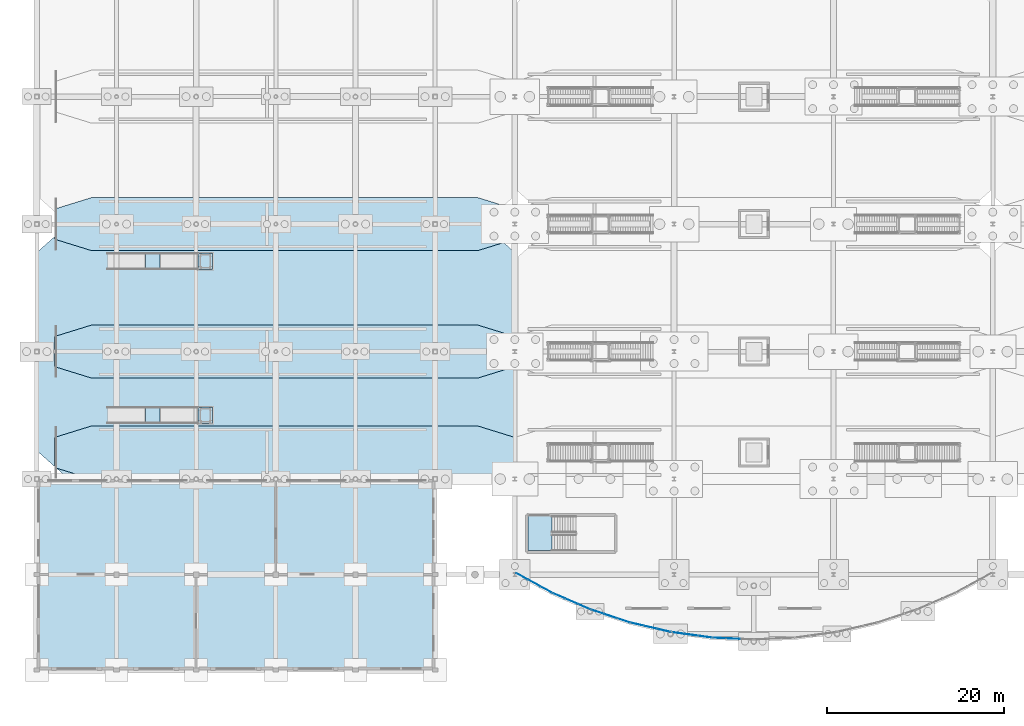
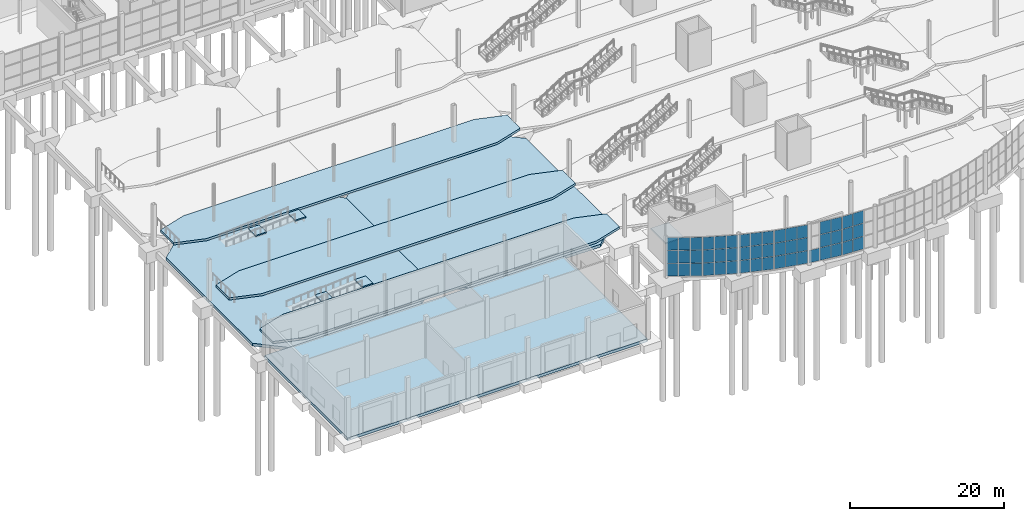
# One storey, part 76 of 115: 49 plates, 11 slabs, 9 elements without a shape of their own.
"""IFC4 building model written with IfcOpenShell, lengths in metres."""

from ifc_helpers import new_model, si_unit, direction, frame, origin, origin_2d, place, context, subcontext, project, spatial, polyline, rectangle, outline, extrude, material, layer, layer_set, type_object, element, aggregate, save


model = new_model("IFC4")

# Units and contexts
model_context = context("Model", 3, precision=1e-05, world=origin(), true_north=direction((0.0, 1.0)))
body_context = subcontext(model_context, "Body", "Model", "MODEL_VIEW")
ifc_project = project(units=[si_unit("LENGTHUNIT", "METRE"), si_unit("AREAUNIT", "SQUARE_METRE"), si_unit("VOLUMEUNIT", "CUBIC_METRE"), si_unit("PLANEANGLEUNIT", "RADIAN"), si_unit("MASSUNIT", "GRAM", prefix="KILO")], contexts=[model_context])

# Site, building, storey
site_placement = place(None, origin())
site = spatial("IfcSite", under=ifc_project, at=site_placement, CompositionType="ELEMENT")
building_placement = place(site_placement, origin())
building = spatial("IfcBuilding", under=site, at=building_placement, Name="Tamarisk Ironworks Central Station", CompositionType="ELEMENT")
storey_placement = place(building_placement, origin())
storey = spatial("IfcBuildingStorey", under=building, at=storey_placement, Name="L00", CompositionType="ELEMENT", Elevation=0.0)

# Curtain wall, plates
ifc_material_1 = material(Name="Anodized aluminium alloy 6063-T6", Category="aluminium")
ifc_layer_1 = layer(ifc_material_1, 0.179931640625)
ifc_layer_set_1 = layer_set([ifc_layer_1], Name="Anodized aluminium alloy 6063-T6")
curtain_wall_type = type_object("IfcCurtainWallType", Name="CW-01", PredefinedType="USERDEFINED", material=ifc_layer_set_1)
curtain_wall_1_placement = place(storey_placement, origin())
curtain_wall_1 = element("IfcCurtainWall", 1, at=curtain_wall_1_placement, inside=storey, type_object=curtain_wall_type, Name="SN rounded entrance hall L00 curtain wall bay 01", ObjectType="GLAZED CURTAIN WALL", PredefinedType="USERDEFINED")
ifc_material_2 = material(Name="Laminated solar-control low-E glass", Category="glass")
ifc_layer_2 = layer(ifc_material_2, 0.028076171875)
ifc_layer_set_2 = layer_set([ifc_layer_2], Name="Laminated solar-control low-E glass")
plate_type = type_object("IfcPlateType", Name="PL-CWP28", PredefinedType="CURTAIN_PANEL", material=ifc_layer_set_2)
plate_1_placement = place(storey_placement, frame((54.818603515625, 10.602783203125, 0.05908203125), z_axis=(0.0, 0.0, 1.0), x_axis=(0.877374910495, -0.47980544644, 0.0)))
plate_1 = element("IfcPlate", 2, at=plate_1_placement, type_object=plate_type, Name="CW01 panel 1.1", PredefinedType="CURTAIN_PANEL", context=body_context, shape_type="SweptSolid", body=[
    extrude(rectangle(XDim=1.484375, YDim=0.028076171875, at=origin_2d()), origin(), (0.0, 0.0, 1.0), 1.98779296875),
])
plate_2_placement = place(storey_placement, frame((54.818603515625, 10.602783203125, 2.099853515625), z_axis=(0.0, 0.0, 1.0), x_axis=(0.877374910495, -0.47980544644, 0.0)))
plate_2 = element("IfcPlate", 3, at=plate_2_placement, type_object=plate_type, Name="CW01 panel 1.2", PredefinedType="CURTAIN_PANEL", context=body_context, shape_type="SweptSolid", body=[
    extrude(rectangle(XDim=1.484375, YDim=0.028076171875, at=origin_2d()), origin(), (0.0, 0.0, 1.0), 2.0205078125),
])
plate_3_placement = place(storey_placement, frame((54.818603515625, 10.602783203125, 4.173095703125), z_axis=(0.0, 0.0, 1.0), x_axis=(0.877374910495, -0.47980544644, 0.0)))
plate_3 = element("IfcPlate", 4, at=plate_3_placement, type_object=plate_type, Name="CW01 panel 1.3", PredefinedType="CURTAIN_PANEL", context=body_context, shape_type="SweptSolid", body=[
    extrude(rectangle(XDim=1.484375, YDim=0.028076171875, at=origin_2d()), origin(), (0.0, 0.0, 1.0), 1.98779296875),
])
plate_4_placement = place(storey_placement, frame((56.181640625, 9.857177734375, 0.05908203125), z_axis=(0.0, 0.0, 1.0), x_axis=(0.877374910495, -0.47980544644, 0.0)))
plate_4 = element("IfcPlate", 5, at=plate_4_placement, type_object=plate_type, Name="CW01 panel 2.1", PredefinedType="CURTAIN_PANEL", context=body_context, shape_type="SweptSolid", body=[
    extrude(rectangle(XDim=1.516845703125, YDim=0.028076171875, at=origin_2d()), origin(), (0.0, 0.0, 1.0), 1.98779296875),
])
plate_5_placement = place(storey_placement, frame((56.181640625, 9.857177734375, 2.099853515625), z_axis=(0.0, 0.0, 1.0), x_axis=(0.877374910495, -0.47980544644, 0.0)))
plate_5 = element("IfcPlate", 6, at=plate_5_placement, type_object=plate_type, Name="CW01 panel 2.2", PredefinedType="CURTAIN_PANEL", context=body_context, shape_type="SweptSolid", body=[
    extrude(rectangle(XDim=1.516845703125, YDim=0.028076171875, at=origin_2d()), origin(), (0.0, 0.0, 1.0), 2.0205078125),
])
plate_6_placement = place(storey_placement, frame((56.181640625, 9.857177734375, 4.173095703125), z_axis=(0.0, 0.0, 1.0), x_axis=(0.877374910495, -0.47980544644, 0.0)))
plate_6 = element("IfcPlate", 7, at=plate_6_placement, type_object=plate_type, Name="CW01 panel 2.3", PredefinedType="CURTAIN_PANEL", context=body_context, shape_type="SweptSolid", body=[
    extrude(rectangle(XDim=1.516845703125, YDim=0.028076171875, at=origin_2d()), origin(), (0.0, 0.0, 1.0), 1.98779296875),
])
plate_7_placement = place(storey_placement, frame((57.544921875, 9.11181640625, 0.05908203125), z_axis=(0.0, 0.0, 1.0), x_axis=(0.877374910495, -0.47980544644, 0.0)))
plate_7 = element("IfcPlate", 8, at=plate_7_placement, type_object=plate_type, Name="CW01 panel 3.1", PredefinedType="CURTAIN_PANEL", context=body_context, shape_type="SweptSolid", body=[
    extrude(rectangle(XDim=1.484375, YDim=0.028076171875, at=origin_2d()), origin(), (0.0, 0.0, 1.0), 1.98779296875),
])
plate_8_placement = place(storey_placement, frame((57.544921875, 9.11181640625, 2.099853515625), z_axis=(0.0, 0.0, 1.0), x_axis=(0.877374910495, -0.47980544644, 0.0)))
plate_8 = element("IfcPlate", 9, at=plate_8_placement, type_object=plate_type, Name="CW01 panel 3.2", PredefinedType="CURTAIN_PANEL", context=body_context, shape_type="SweptSolid", body=[
    extrude(rectangle(XDim=1.484375, YDim=0.028076171875, at=origin_2d()), origin(), (0.0, 0.0, 1.0), 2.0205078125),
])
plate_9_placement = place(storey_placement, frame((57.544921875, 9.11181640625, 4.173095703125), z_axis=(0.0, 0.0, 1.0), x_axis=(0.877374910495, -0.47980544644, 0.0)))
plate_9 = element("IfcPlate", 10, at=plate_9_placement, type_object=plate_type, Name="CW01 panel 3.3", PredefinedType="CURTAIN_PANEL", context=body_context, shape_type="SweptSolid", body=[
    extrude(rectangle(XDim=1.484375, YDim=0.028076171875, at=origin_2d()), origin(), (0.0, 0.0, 1.0), 1.98779296875),
])
aggregate(curtain_wall_1, [plate_1, plate_2, plate_3, plate_4, plate_5, plate_6, plate_7, plate_8, plate_9])

curtain_wall_2_placement = place(storey_placement, origin())
curtain_wall_2 = element("IfcCurtainWall", 11, at=curtain_wall_2_placement, inside=storey, type_object=curtain_wall_type, Name="SN rounded entrance hall L00 curtain wall bay 02", ObjectType="GLAZED CURTAIN WALL", PredefinedType="USERDEFINED")
plate_10_placement = place(storey_placement, frame((58.982666015625, 8.408447265625, 0.05908203125), z_axis=(0.0, 0.0, 1.0), x_axis=(0.917352033503, -0.398076935564, 0.0)))
plate_10 = element("IfcPlate", 12, at=plate_10_placement, type_object=plate_type, Name="CW01 panel 1.1", PredefinedType="CURTAIN_PANEL", context=body_context, shape_type="SweptSolid", body=[
    extrude(rectangle(XDim=1.484375, YDim=0.028076171875, at=origin_2d()), origin(), (0.0, 0.0, 1.0), 1.98779296875),
])
plate_11_placement = place(storey_placement, frame((58.982666015625, 8.408447265625, 2.099853515625), z_axis=(0.0, 0.0, 1.0), x_axis=(0.917352033503, -0.398076935564, 0.0)))
plate_11 = element("IfcPlate", 13, at=plate_11_placement, type_object=plate_type, Name="CW01 panel 1.2", PredefinedType="CURTAIN_PANEL", context=body_context, shape_type="SweptSolid", body=[
    extrude(rectangle(XDim=1.484375, YDim=0.028076171875, at=origin_2d()), origin(), (0.0, 0.0, 1.0), 2.0205078125),
])
plate_12_placement = place(storey_placement, frame((58.982666015625, 8.408447265625, 4.173095703125), z_axis=(0.0, 0.0, 1.0), x_axis=(0.917352033503, -0.398076935564, 0.0)))
plate_12 = element("IfcPlate", 14, at=plate_12_placement, type_object=plate_type, Name="CW01 panel 1.3", PredefinedType="CURTAIN_PANEL", context=body_context, shape_type="SweptSolid", body=[
    extrude(rectangle(XDim=1.484375, YDim=0.028076171875, at=origin_2d()), origin(), (0.0, 0.0, 1.0), 1.98779296875),
])
plate_13_placement = place(storey_placement, frame((60.407958984375, 7.7900390625, 0.05908203125), z_axis=(0.0, 0.0, 1.0), x_axis=(0.917352033503, -0.398076935564, 0.0)))
plate_13 = element("IfcPlate", 15, at=plate_13_placement, type_object=plate_type, Name="CW01 panel 2.1", PredefinedType="CURTAIN_PANEL", context=body_context, shape_type="SweptSolid", body=[
    extrude(rectangle(XDim=1.516845703125, YDim=0.028076171875, at=origin_2d()), origin(), (0.0, 0.0, 1.0), 1.98779296875),
])
plate_14_placement = place(storey_placement, frame((60.407958984375, 7.7900390625, 2.099853515625), z_axis=(0.0, 0.0, 1.0), x_axis=(0.917352033503, -0.398076935564, 0.0)))
plate_14 = element("IfcPlate", 16, at=plate_14_placement, type_object=plate_type, Name="CW01 panel 2.2", PredefinedType="CURTAIN_PANEL", context=body_context, shape_type="SweptSolid", body=[
    extrude(rectangle(XDim=1.516845703125, YDim=0.028076171875, at=origin_2d()), origin(), (0.0, 0.0, 1.0), 2.0205078125),
])
plate_15_placement = place(storey_placement, frame((60.407958984375, 7.7900390625, 4.173095703125), z_axis=(0.0, 0.0, 1.0), x_axis=(0.917352033503, -0.398076935564, 0.0)))
plate_15 = element("IfcPlate", 17, at=plate_15_placement, type_object=plate_type, Name="CW01 panel 2.3", PredefinedType="CURTAIN_PANEL", context=body_context, shape_type="SweptSolid", body=[
    extrude(rectangle(XDim=1.516845703125, YDim=0.028076171875, at=origin_2d()), origin(), (0.0, 0.0, 1.0), 1.98779296875),
])
plate_16_placement = place(storey_placement, frame((61.833251953125, 7.171630859375, 0.05908203125), z_axis=(0.0, 0.0, 1.0), x_axis=(0.917352033503, -0.398076935564, 0.0)))
plate_16 = element("IfcPlate", 18, at=plate_16_placement, type_object=plate_type, Name="CW01 panel 3.1", PredefinedType="CURTAIN_PANEL", context=body_context, shape_type="SweptSolid", body=[
    extrude(rectangle(XDim=1.484375, YDim=0.028076171875, at=origin_2d()), origin(), (0.0, 0.0, 1.0), 1.98779296875),
])
plate_17_placement = place(storey_placement, frame((61.833251953125, 7.171630859375, 2.099853515625), z_axis=(0.0, 0.0, 1.0), x_axis=(0.917352033503, -0.398076935564, 0.0)))
plate_17 = element("IfcPlate", 19, at=plate_17_placement, type_object=plate_type, Name="CW01 panel 3.2", PredefinedType="CURTAIN_PANEL", context=body_context, shape_type="SweptSolid", body=[
    extrude(rectangle(XDim=1.484375, YDim=0.028076171875, at=origin_2d()), origin(), (0.0, 0.0, 1.0), 2.0205078125),
])
plate_18_placement = place(storey_placement, frame((61.833251953125, 7.171630859375, 4.173095703125), z_axis=(0.0, 0.0, 1.0), x_axis=(0.917352033503, -0.398076935564, 0.0)))
plate_18 = element("IfcPlate", 20, at=plate_18_placement, type_object=plate_type, Name="CW01 panel 3.3", PredefinedType="CURTAIN_PANEL", context=body_context, shape_type="SweptSolid", body=[
    extrude(rectangle(XDim=1.484375, YDim=0.028076171875, at=origin_2d()), origin(), (0.0, 0.0, 1.0), 1.98779296875),
])
aggregate(curtain_wall_2, [plate_10, plate_11, plate_12, plate_13, plate_14, plate_15, plate_16, plate_17, plate_18])

curtain_wall_3_placement = place(storey_placement, origin())
curtain_wall_3 = element("IfcCurtainWall", 21, at=curtain_wall_3_placement, inside=storey, type_object=curtain_wall_type, Name="SN rounded entrance hall L00 curtain wall bay 03", ObjectType="GLAZED CURTAIN WALL", PredefinedType="USERDEFINED")
plate_19_placement = place(storey_placement, frame((63.3291015625, 6.601806640625, 0.05908203125), z_axis=(0.0, 0.0, 1.0), x_axis=(0.949720671692, -0.313098460171, 0.0)))
plate_19 = element("IfcPlate", 22, at=plate_19_placement, type_object=plate_type, Name="CW01 panel 1.1", PredefinedType="CURTAIN_PANEL", context=body_context, shape_type="SweptSolid", body=[
    extrude(rectangle(XDim=1.484375, YDim=0.028076171875, at=origin_2d()), origin(), (0.0, 0.0, 1.0), 1.98779296875),
])
plate_20_placement = place(storey_placement, frame((63.3291015625, 6.601806640625, 2.099853515625), z_axis=(0.0, 0.0, 1.0), x_axis=(0.949720671692, -0.313098460171, 0.0)))
plate_20 = element("IfcPlate", 23, at=plate_20_placement, type_object=plate_type, Name="CW01 panel 1.2", PredefinedType="CURTAIN_PANEL", context=body_context, shape_type="SweptSolid", body=[
    extrude(rectangle(XDim=1.484375, YDim=0.028076171875, at=origin_2d()), origin(), (0.0, 0.0, 1.0), 2.0205078125),
])
plate_21_placement = place(storey_placement, frame((63.3291015625, 6.601806640625, 4.173095703125), z_axis=(0.0, 0.0, 1.0), x_axis=(0.949720671692, -0.313098460171, 0.0)))
plate_21 = element("IfcPlate", 24, at=plate_21_placement, type_object=plate_type, Name="CW01 panel 1.3", PredefinedType="CURTAIN_PANEL", context=body_context, shape_type="SweptSolid", body=[
    extrude(rectangle(XDim=1.484375, YDim=0.028076171875, at=origin_2d()), origin(), (0.0, 0.0, 1.0), 1.98779296875),
])
plate_22_placement = place(storey_placement, frame((64.8046875, 6.115234375, 0.05908203125), z_axis=(0.0, 0.0, 1.0), x_axis=(0.949720671692, -0.313098460171, 0.0)))
plate_22 = element("IfcPlate", 25, at=plate_22_placement, type_object=plate_type, Name="CW01 panel 2.1", PredefinedType="CURTAIN_PANEL", context=body_context, shape_type="SweptSolid", body=[
    extrude(rectangle(XDim=1.516845703125, YDim=0.028076171875, at=origin_2d()), origin(), (0.0, 0.0, 1.0), 1.98779296875),
])
plate_23_placement = place(storey_placement, frame((64.8046875, 6.115234375, 2.099853515625), z_axis=(0.0, 0.0, 1.0), x_axis=(0.949720671692, -0.313098460171, 0.0)))
plate_23 = element("IfcPlate", 26, at=plate_23_placement, type_object=plate_type, Name="CW01 panel 2.2", PredefinedType="CURTAIN_PANEL", context=body_context, shape_type="SweptSolid", body=[
    extrude(rectangle(XDim=1.516845703125, YDim=0.028076171875, at=origin_2d()), origin(), (0.0, 0.0, 1.0), 2.0205078125),
])
plate_24_placement = place(storey_placement, frame((64.8046875, 6.115234375, 4.173095703125), z_axis=(0.0, 0.0, 1.0), x_axis=(0.949720671692, -0.313098460171, 0.0)))
plate_24 = element("IfcPlate", 27, at=plate_24_placement, type_object=plate_type, Name="CW01 panel 2.3", PredefinedType="CURTAIN_PANEL", context=body_context, shape_type="SweptSolid", body=[
    extrude(rectangle(XDim=1.516845703125, YDim=0.028076171875, at=origin_2d()), origin(), (0.0, 0.0, 1.0), 1.98779296875),
])
plate_25_placement = place(storey_placement, frame((66.2802734375, 5.62890625, 0.05908203125), z_axis=(0.0, 0.0, 1.0), x_axis=(0.949720671692, -0.313098460171, 0.0)))
plate_25 = element("IfcPlate", 28, at=plate_25_placement, type_object=plate_type, Name="CW01 panel 3.1", PredefinedType="CURTAIN_PANEL", context=body_context, shape_type="SweptSolid", body=[
    extrude(rectangle(XDim=1.484375, YDim=0.028076171875, at=origin_2d()), origin(), (0.0, 0.0, 1.0), 1.98779296875),
])
plate_26_placement = place(storey_placement, frame((66.2802734375, 5.62890625, 2.099853515625), z_axis=(0.0, 0.0, 1.0), x_axis=(0.949720671692, -0.313098460171, 0.0)))
plate_26 = element("IfcPlate", 29, at=plate_26_placement, type_object=plate_type, Name="CW01 panel 3.2", PredefinedType="CURTAIN_PANEL", context=body_context, shape_type="SweptSolid", body=[
    extrude(rectangle(XDim=1.484375, YDim=0.028076171875, at=origin_2d()), origin(), (0.0, 0.0, 1.0), 2.0205078125),
])
plate_27_placement = place(storey_placement, frame((66.2802734375, 5.62890625, 4.173095703125), z_axis=(0.0, 0.0, 1.0), x_axis=(0.949720671692, -0.313098460171, 0.0)))
plate_27 = element("IfcPlate", 30, at=plate_27_placement, type_object=plate_type, Name="CW01 panel 3.3", PredefinedType="CURTAIN_PANEL", context=body_context, shape_type="SweptSolid", body=[
    extrude(rectangle(XDim=1.484375, YDim=0.028076171875, at=origin_2d()), origin(), (0.0, 0.0, 1.0), 1.98779296875),
])
aggregate(curtain_wall_3, [plate_19, plate_20, plate_21, plate_22, plate_23, plate_24, plate_25, plate_26, plate_27])

curtain_wall_4_placement = place(storey_placement, origin())
curtain_wall_4 = element("IfcCurtainWall", 31, at=curtain_wall_4_placement, inside=storey, type_object=curtain_wall_type, Name="SN rounded entrance hall L00 curtain wall bay 04", ObjectType="GLAZED CURTAIN WALL", PredefinedType="USERDEFINED")
plate_28_placement = place(storey_placement, frame((67.821533203125, 5.197265625, 0.05908203125), z_axis=(0.0, 0.0, 1.0), x_axis=(0.974239240545, -0.225516966506, 0.0)))
plate_28 = element("IfcPlate", 32, at=plate_28_placement, type_object=plate_type, Name="CW01 panel 1.1", PredefinedType="CURTAIN_PANEL", context=body_context, shape_type="SweptSolid", body=[
    extrude(rectangle(XDim=1.484375, YDim=0.028076171875, at=origin_2d()), origin(), (0.0, 0.0, 1.0), 1.98779296875),
])
plate_29_placement = place(storey_placement, frame((67.821533203125, 5.197265625, 2.099853515625), z_axis=(0.0, 0.0, 1.0), x_axis=(0.974239240545, -0.225516966506, 0.0)))
plate_29 = element("IfcPlate", 33, at=plate_29_placement, type_object=plate_type, Name="CW01 panel 1.2", PredefinedType="CURTAIN_PANEL", context=body_context, shape_type="SweptSolid", body=[
    extrude(rectangle(XDim=1.484375, YDim=0.028076171875, at=origin_2d()), origin(), (0.0, 0.0, 1.0), 2.0205078125),
])
plate_30_placement = place(storey_placement, frame((67.821533203125, 5.197265625, 4.173095703125), z_axis=(0.0, 0.0, 1.0), x_axis=(0.974239240545, -0.225516966506, 0.0)))
plate_30 = element("IfcPlate", 34, at=plate_30_placement, type_object=plate_type, Name="CW01 panel 1.3", PredefinedType="CURTAIN_PANEL", context=body_context, shape_type="SweptSolid", body=[
    extrude(rectangle(XDim=1.484375, YDim=0.028076171875, at=origin_2d()), origin(), (0.0, 0.0, 1.0), 1.98779296875),
])
plate_31_placement = place(storey_placement, frame((69.335205078125, 4.846923828125, 0.05908203125), z_axis=(0.0, 0.0, 1.0), x_axis=(0.974239240545, -0.225516966506, 0.0)))
plate_31 = element("IfcPlate", 35, at=plate_31_placement, type_object=plate_type, Name="CW01 panel 2.1", PredefinedType="CURTAIN_PANEL", context=body_context, shape_type="SweptSolid", body=[
    extrude(rectangle(XDim=1.516845703125, YDim=0.028076171875, at=origin_2d()), origin(), (0.0, 0.0, 1.0), 1.98779296875),
])
plate_32_placement = place(storey_placement, frame((69.335205078125, 4.846923828125, 2.099853515625), z_axis=(0.0, 0.0, 1.0), x_axis=(0.974239240545, -0.225516966506, 0.0)))
plate_32 = element("IfcPlate", 36, at=plate_32_placement, type_object=plate_type, Name="CW01 panel 2.2", PredefinedType="CURTAIN_PANEL", context=body_context, shape_type="SweptSolid", body=[
    extrude(rectangle(XDim=1.516845703125, YDim=0.028076171875, at=origin_2d()), origin(), (0.0, 0.0, 1.0), 2.0205078125),
])
plate_33_placement = place(storey_placement, frame((69.335205078125, 4.846923828125, 4.173095703125), z_axis=(0.0, 0.0, 1.0), x_axis=(0.974239240545, -0.225516966506, 0.0)))
plate_33 = element("IfcPlate", 37, at=plate_33_placement, type_object=plate_type, Name="CW01 panel 2.3", PredefinedType="CURTAIN_PANEL", context=body_context, shape_type="SweptSolid", body=[
    extrude(rectangle(XDim=1.516845703125, YDim=0.028076171875, at=origin_2d()), origin(), (0.0, 0.0, 1.0), 1.98779296875),
])
plate_34_placement = place(storey_placement, frame((70.848876953125, 4.49658203125, 0.05908203125), z_axis=(0.0, 0.0, 1.0), x_axis=(0.974239240545, -0.225516966506, 0.0)))
plate_34 = element("IfcPlate", 38, at=plate_34_placement, type_object=plate_type, Name="CW01 panel 3.1", PredefinedType="CURTAIN_PANEL", context=body_context, shape_type="SweptSolid", body=[
    extrude(rectangle(XDim=1.484375, YDim=0.028076171875, at=origin_2d()), origin(), (0.0, 0.0, 1.0), 1.98779296875),
])
plate_35_placement = place(storey_placement, frame((70.848876953125, 4.49658203125, 2.099853515625), z_axis=(0.0, 0.0, 1.0), x_axis=(0.974239240545, -0.225516966506, 0.0)))
plate_35 = element("IfcPlate", 39, at=plate_35_placement, type_object=plate_type, Name="CW01 panel 3.2", PredefinedType="CURTAIN_PANEL", context=body_context, shape_type="SweptSolid", body=[
    extrude(rectangle(XDim=1.484375, YDim=0.028076171875, at=origin_2d()), origin(), (0.0, 0.0, 1.0), 2.0205078125),
])
plate_36_placement = place(storey_placement, frame((70.848876953125, 4.49658203125, 4.173095703125), z_axis=(0.0, 0.0, 1.0), x_axis=(0.974239240545, -0.225516966506, 0.0)))
plate_36 = element("IfcPlate", 40, at=plate_36_placement, type_object=plate_type, Name="CW01 panel 3.3", PredefinedType="CURTAIN_PANEL", context=body_context, shape_type="SweptSolid", body=[
    extrude(rectangle(XDim=1.484375, YDim=0.028076171875, at=origin_2d()), origin(), (0.0, 0.0, 1.0), 1.98779296875),
])
aggregate(curtain_wall_4, [plate_28, plate_29, plate_30, plate_31, plate_32, plate_33, plate_34, plate_35, plate_36])

curtain_wall_5_placement = place(storey_placement, origin())
curtain_wall_5 = element("IfcCurtainWall", 41, at=curtain_wall_5_placement, inside=storey, type_object=curtain_wall_type, Name="SN rounded entrance hall L00 curtain wall bay 05", ObjectType="GLAZED CURTAIN WALL", PredefinedType="USERDEFINED")
plate_37_placement = place(storey_placement, frame((72.423095703125, 4.206787109375, 0.05908203125), z_axis=(0.0, 0.0, 1.0), x_axis=(0.990703108403, -0.136041725218, 0.0)))
plate_37 = element("IfcPlate", 42, at=plate_37_placement, type_object=plate_type, Name="CW01 panel 1.1", PredefinedType="CURTAIN_PANEL", context=body_context, shape_type="SweptSolid", body=[
    extrude(rectangle(XDim=1.484375, YDim=0.028076171875, at=origin_2d()), origin(), (0.0, 0.0, 1.0), 1.98779296875),
])
plate_38_placement = place(storey_placement, frame((73.96240234375, 3.99560546875, 0.05908203125), z_axis=(0.0, 0.0, 1.0), x_axis=(0.990703108403, -0.136041725218, 0.0)))
plate_38 = element("IfcPlate", 43, at=plate_38_placement, type_object=plate_type, Name="CW01 panel 2.1", PredefinedType="CURTAIN_PANEL", context=body_context, shape_type="SweptSolid", body=[
    extrude(rectangle(XDim=1.516845703125, YDim=0.028076171875, at=origin_2d()), origin(), (0.0, 0.0, 1.0), 1.98779296875),
])
plate_39_placement = place(storey_placement, frame((73.96240234375, 3.99560546875, 2.099853515625), z_axis=(0.0, 0.0, 1.0), x_axis=(0.990703108403, -0.136041725218, 0.0)))
plate_39 = element("IfcPlate", 44, at=plate_39_placement, type_object=plate_type, Name="CW01 panel 2.2", PredefinedType="CURTAIN_PANEL", context=body_context, shape_type="SweptSolid", body=[
    extrude(rectangle(XDim=1.516845703125, YDim=0.028076171875, at=origin_2d()), origin(), (0.0, 0.0, 1.0), 2.0205078125),
])
plate_40_placement = place(storey_placement, frame((73.96240234375, 3.99560546875, 4.173095703125), z_axis=(0.0, 0.0, 1.0), x_axis=(0.990703108403, -0.136041725218, 0.0)))
plate_40 = element("IfcPlate", 45, at=plate_40_placement, type_object=plate_type, Name="CW01 panel 2.3", PredefinedType="CURTAIN_PANEL", context=body_context, shape_type="SweptSolid", body=[
    extrude(rectangle(XDim=1.516845703125, YDim=0.028076171875, at=origin_2d()), origin(), (0.0, 0.0, 1.0), 1.98779296875),
])
plate_41_placement = place(storey_placement, frame((75.50146484375, 3.7841796875, 0.05908203125), z_axis=(0.0, 0.0, 1.0), x_axis=(0.990703108403, -0.136041725218, 0.0)))
plate_41 = element("IfcPlate", 46, at=plate_41_placement, type_object=plate_type, Name="CW01 panel 3.1", PredefinedType="CURTAIN_PANEL", context=body_context, shape_type="SweptSolid", body=[
    extrude(rectangle(XDim=1.484375, YDim=0.028076171875, at=origin_2d()), origin(), (0.0, 0.0, 1.0), 1.98779296875),
])
plate_42_placement = place(storey_placement, frame((75.50146484375, 3.7841796875, 2.099853515625), z_axis=(0.0, 0.0, 1.0), x_axis=(0.990703108403, -0.136041725218, 0.0)))
plate_42 = element("IfcPlate", 47, at=plate_42_placement, type_object=plate_type, Name="CW01 panel 3.2", PredefinedType="CURTAIN_PANEL", context=body_context, shape_type="SweptSolid", body=[
    extrude(rectangle(XDim=1.484375, YDim=0.028076171875, at=origin_2d()), origin(), (0.0, 0.0, 1.0), 2.0205078125),
])
plate_43_placement = place(storey_placement, frame((75.50146484375, 3.7841796875, 4.173095703125), z_axis=(0.0, 0.0, 1.0), x_axis=(0.990703108403, -0.136041725218, 0.0)))
plate_43 = element("IfcPlate", 48, at=plate_43_placement, type_object=plate_type, Name="CW01 panel 3.3", PredefinedType="CURTAIN_PANEL", context=body_context, shape_type="SweptSolid", body=[
    extrude(rectangle(XDim=1.484375, YDim=0.028076171875, at=origin_2d()), origin(), (0.0, 0.0, 1.0), 1.98779296875),
])
aggregate(curtain_wall_5, [plate_37, plate_38, plate_39, plate_40, plate_41, plate_42, plate_43])

curtain_wall_6_placement = place(storey_placement, origin())
curtain_wall_6 = element("IfcCurtainWall", 49, at=curtain_wall_6_placement, inside=storey, type_object=curtain_wall_type, Name="SN rounded entrance hall L00 curtain wall bay 06", ObjectType="GLAZED CURTAIN WALL", PredefinedType="USERDEFINED")
plate_44_placement = place(storey_placement, frame((77.095458984375, 3.638671875, 0.05908203125), z_axis=(0.0, 0.0, 1.0), x_axis=(0.998965210312, -0.045480859558, 0.0)))
plate_44 = element("IfcPlate", 50, at=plate_44_placement, type_object=plate_type, Name="CW01 panel 1.1", PredefinedType="CURTAIN_PANEL", context=body_context, shape_type="SweptSolid", body=[
    extrude(rectangle(XDim=1.484375, YDim=0.028076171875, at=origin_2d()), origin(), (0.0, 0.0, 1.0), 1.98779296875),
])
plate_45_placement = place(storey_placement, frame((77.095458984375, 3.638671875, 2.099853515625), z_axis=(0.0, 0.0, 1.0), x_axis=(0.998965210312, -0.045480859558, 0.0)))
plate_45 = element("IfcPlate", 51, at=plate_45_placement, type_object=plate_type, Name="CW01 panel 1.2", PredefinedType="CURTAIN_PANEL", context=body_context, shape_type="SweptSolid", body=[
    extrude(rectangle(XDim=1.484375, YDim=0.028076171875, at=origin_2d()), origin(), (0.0, 0.0, 1.0), 2.0205078125),
])
plate_46_placement = place(storey_placement, frame((77.095458984375, 3.638671875, 4.173095703125), z_axis=(0.0, 0.0, 1.0), x_axis=(0.998965210312, -0.045480859558, 0.0)))
plate_46 = element("IfcPlate", 52, at=plate_46_placement, type_object=plate_type, Name="CW01 panel 1.3", PredefinedType="CURTAIN_PANEL", context=body_context, shape_type="SweptSolid", body=[
    extrude(rectangle(XDim=1.484375, YDim=0.028076171875, at=origin_2d()), origin(), (0.0, 0.0, 1.0), 1.98779296875),
])
plate_47_placement = place(storey_placement, frame((78.647705078125, 3.568115234375, 0.05908203125), z_axis=(0.0, 0.0, 1.0), x_axis=(0.998965210312, -0.045480859558, 0.0)))
plate_47 = element("IfcPlate", 53, at=plate_47_placement, type_object=plate_type, Name="CW01 panel 2.1", PredefinedType="CURTAIN_PANEL", context=body_context, shape_type="SweptSolid", body=[
    extrude(rectangle(XDim=1.516845703125, YDim=0.028076171875, at=origin_2d()), origin(), (0.0, 0.0, 1.0), 1.98779296875),
])
plate_48_placement = place(storey_placement, frame((78.647705078125, 3.568115234375, 2.099853515625), z_axis=(0.0, 0.0, 1.0), x_axis=(0.998965210312, -0.045480859558, 0.0)))
plate_48 = element("IfcPlate", 54, at=plate_48_placement, type_object=plate_type, Name="CW01 panel 2.2", PredefinedType="CURTAIN_PANEL", context=body_context, shape_type="SweptSolid", body=[
    extrude(rectangle(XDim=1.516845703125, YDim=0.028076171875, at=origin_2d()), origin(), (0.0, 0.0, 1.0), 2.0205078125),
])
plate_49_placement = place(storey_placement, frame((78.647705078125, 3.568115234375, 4.173095703125), z_axis=(0.0, 0.0, 1.0), x_axis=(0.998965210312, -0.045480859558, 0.0)))
plate_49 = element("IfcPlate", 55, at=plate_49_placement, type_object=plate_type, Name="CW01 panel 2.3", PredefinedType="CURTAIN_PANEL", context=body_context, shape_type="SweptSolid", body=[
    extrude(rectangle(XDim=1.516845703125, YDim=0.028076171875, at=origin_2d()), origin(), (0.0, 0.0, 1.0), 1.98779296875),
])
aggregate(curtain_wall_6, [plate_44, plate_45, plate_46, plate_47, plate_48, plate_49])

# Slabs
ifc_material_3 = material(Name="Concrete C40/50", Category="concrete")
ifc_layer_3 = layer(ifc_material_3, 0.449951171875)
ifc_layer_set_3 = layer_set([ifc_layer_3], Name="Concrete C40/50")
slab_type_1 = type_object("IfcSlabType", Name="SL-BS450", PredefinedType="BASESLAB", material=ifc_layer_set_3)
slab_1_placement = place(storey_placement, frame((0.0, 0.0, -0.449951171875)))
element("IfcSlab", 56, at=slab_1_placement, inside=storey, type_object=slab_type_1, Name="L00 Train Shed Structural Base Slab W1", PredefinedType="BASESLAB", context=body_context, shape_type="SweptSolid", body=[
    extrude(outline(polyline([(3.60009765625, 21.60009765625), (23.39990234375, 21.60009765625), (27.0, 24.800048828125), (27.0, 47.199951171875), (23.39990234375, 50.39990234375), (3.60009765625, 50.39990234375), (0.0, 47.199951171875), (0.0, 24.800048828125), (3.60009765625, 21.60009765625)])), origin(), (0.0, 0.0, 1.0), 0.449951171875),
])
slab_2_placement = place(storey_placement, frame((0.0, 0.0, -0.449951171875)))
element("IfcSlab", 57, at=slab_2_placement, inside=storey, type_object=slab_type_1, Name="L00 Train Shed Structural Base Slab W2", PredefinedType="BASESLAB", context=body_context, shape_type="SweptSolid", body=[
    extrude(outline(polyline([(30.60009765625, 21.60009765625), (50.39990234375, 21.60009765625), (54.0, 24.800048828125), (54.0, 47.199951171875), (50.39990234375, 50.39990234375), (30.60009765625, 50.39990234375), (27.0, 47.199951171875), (27.0, 24.800048828125), (30.60009765625, 21.60009765625)])), origin(), (0.0, 0.0, 1.0), 0.449951171875),
])
slab_3_placement = place(storey_placement, frame((0.0, 0.0, -0.449951171875)))
element("IfcSlab", 58, at=slab_3_placement, inside=storey, type_object=slab_type_1, Name="L00 Ground Floor Structural Slab V1B-W", PredefinedType="BASESLAB", context=body_context, shape_type="SweptSolid", body=[
    extrude(outline(polyline([(0.0, 0.0), (45.0, 0.0), (45.0, 21.60009765625), (0.0, 21.60009765625), (0.0, 0.0)])), origin(), (0.0, 0.0, 1.0), 0.449951171875),
])

# Ramp, slabs
ramp_type = type_object("IfcRampType", Name="RM-PLAT-A", PredefinedType="TWO_STRAIGHT_RUN_RAMP", material=ifc_material_3)
ramp_1_placement = place(storey_placement, origin())
ramp_1 = element("IfcRamp", 59, at=ramp_1_placement, inside=storey, type_object=ramp_type, Name="Platform 1 West Accessible Ramp", PredefinedType="TWO_STRAIGHT_RUN_RAMP")
ifc_material_4 = material(Name="Concrete C35/45", Category="concrete")
ifc_layer_4 = layer(ifc_material_4, 0.179931640625)
ifc_layer_set_4 = layer_set([ifc_layer_4], Name="Concrete C35/45")
slab_type_2 = type_object("IfcSlabType", Name="SL-LD180", PredefinedType="LANDING", material=ifc_layer_set_4)
slab_4_placement = place(storey_placement, frame((0.0, 0.0, 0.179931640625)))
slab_4 = element("IfcSlab", 60, at=slab_4_placement, type_object=slab_type_2, Name="RMP1 landing 1", PredefinedType="LANDING", context=body_context, shape_type="SweptSolid", body=[
    extrude(outline(polyline([(12.300048828125, 27.860107421875), (13.93994140625, 27.860107421875), (13.93994140625, 29.739990234375), (12.300048828125, 29.739990234375), (12.300048828125, 27.860107421875)])), origin(), (0.0, 0.0, 1.0), 0.18017578125),
])
slab_5_placement = place(storey_placement, frame((0.0, 0.0, 0.5400390625)))
slab_5 = element("IfcSlab", 61, at=slab_5_placement, type_object=slab_type_2, Name="RMP1 landing 2", PredefinedType="LANDING", context=body_context, shape_type="SweptSolid", body=[
    extrude(outline(polyline([(18.219970703125, 27.860107421875), (19.860107421875, 27.860107421875), (19.860107421875, 29.739990234375), (18.219970703125, 29.739990234375), (18.219970703125, 27.860107421875)])), origin(), (0.0, 0.0, 1.0), 0.179931640625),
])
aggregate(ramp_1, [slab_4, slab_5])

ramp_2_placement = place(storey_placement, origin())
ramp_2 = element("IfcRamp", 62, at=ramp_2_placement, inside=storey, type_object=ramp_type, Name="Platform 3 West Accessible Ramp", PredefinedType="TWO_STRAIGHT_RUN_RAMP")
slab_6_placement = place(storey_placement, frame((0.0, 0.0, 0.179931640625)))
slab_6 = element("IfcSlab", 63, at=slab_6_placement, type_object=slab_type_2, Name="RMP1 landing 1", PredefinedType="LANDING", context=body_context, shape_type="SweptSolid", body=[
    extrude(outline(polyline([(12.300048828125, 45.260009765625), (13.93994140625, 45.260009765625), (13.93994140625, 47.139892578125), (12.300048828125, 47.139892578125), (12.300048828125, 45.260009765625)])), origin(), (0.0, 0.0, 1.0), 0.18017578125),
])
slab_7_placement = place(storey_placement, frame((0.0, 0.0, 0.5400390625)))
slab_7 = element("IfcSlab", 64, at=slab_7_placement, type_object=slab_type_2, Name="RMP1 landing 2", PredefinedType="LANDING", context=body_context, shape_type="SweptSolid", body=[
    extrude(outline(polyline([(18.219970703125, 45.260009765625), (19.860107421875, 45.260009765625), (19.860107421875, 47.139892578125), (18.219970703125, 47.139892578125), (18.219970703125, 45.260009765625)])), origin(), (0.0, 0.0, 1.0), 0.179931640625),
])
aggregate(ramp_2, [slab_6, slab_7])

# Stair, slab
stair_type = type_object("IfcStairType", Name="ST-CORE-D", PredefinedType="HALF_TURN_STAIR", material=ifc_material_4)
stair_placement = place(storey_placement, origin())
stair = element("IfcStair", 65, at=stair_placement, inside=storey, type_object=stair_type, Name="L00 South Concourse Exit Stair Core 8", PredefinedType="HALF_TURN_STAIR")
ifc_layer_5 = layer(ifc_material_4, 0.215087890625)
ifc_layer_set_5 = layer_set([ifc_layer_5], Name="Concrete C35/45")
slab_type_3 = type_object("IfcSlabType", Name="SL-LD220", PredefinedType="LANDING", material=ifc_layer_set_5)
slab_8_placement = place(storey_placement, frame((0.0, 0.0, 3.10009765625)))
slab_8 = element("IfcSlab", 66, at=slab_8_placement, type_object=slab_type_3, Name="ST-C8 landing 2", PredefinedType="LANDING", context=body_context, shape_type="SweptSolid", body=[
    extrude(outline(polyline([(55.5, 13.5), (58.199951171875, 13.5), (58.199951171875, 17.39990234375), (55.5, 17.39990234375), (55.5, 13.5)])), origin(), (0.0, 0.0, 1.0), 0.199951171875),
])
aggregate(stair, [slab_8])

# Slabs
ifc_material_5 = material(Name="Precast concrete C45/55", Category="concrete")
ifc_layer_6 = layer(ifc_material_5, 0.35009765625)
ifc_layer_set_6 = layer_set([ifc_layer_6], Name="Precast concrete C45/55")
slab_type_4 = type_object("IfcSlabType", Name="SL-PL350", PredefinedType="FLOOR", material=ifc_layer_set_6)
slab_9_placement = place(storey_placement, frame((0.0, 0.0, 0.3701171875)))
element("IfcSlab", 67, at=slab_9_placement, inside=storey, type_object=slab_type_4, Name="L00 Platform 1 Raised Boarding Deck W", PredefinedType="FLOOR", context=body_context, shape_type="SweptSolid", body=[
    extrude(outline(polyline([(6.199951171875, 21.60009765625), (49.800048828125, 21.60009765625), (54.0, 22.89990234375), (54.0, 26.300048828125), (49.800048828125, 27.60009765625), (6.199951171875, 27.60009765625), (2.0, 26.300048828125), (2.0, 22.89990234375), (6.199951171875, 21.60009765625)])), origin(), (0.0, 0.0, 1.0), 0.349853515625),
])
slab_10_placement = place(storey_placement, frame((0.0, 0.0, 0.3701171875)))
element("IfcSlab", 68, at=slab_10_placement, inside=storey, type_object=slab_type_4, Name="L00 Platform 2 Raised Boarding Deck W", PredefinedType="FLOOR", context=body_context, shape_type="SweptSolid", body=[
    extrude(outline(polyline([(6.199951171875, 33.0), (49.800048828125, 33.0), (54.0, 34.300048828125), (54.0, 37.699951171875), (49.800048828125, 39.0), (6.199951171875, 39.0), (2.0, 37.699951171875), (2.0, 34.300048828125), (6.199951171875, 33.0)])), origin(), (0.0, 0.0, 1.0), 0.349853515625),
])
slab_11_placement = place(storey_placement, frame((0.0, 0.0, 0.3701171875)))
element("IfcSlab", 69, at=slab_11_placement, inside=storey, type_object=slab_type_4, Name="L00 Platform 3 Raised Boarding Deck W", PredefinedType="FLOOR", context=body_context, shape_type="SweptSolid", body=[
    extrude(outline(polyline([(6.199951171875, 47.39990234375), (49.800048828125, 47.39990234375), (54.0, 48.699951171875), (54.0, 52.10009765625), (49.800048828125, 53.39990234375), (6.199951171875, 53.39990234375), (2.0, 52.10009765625), (2.0, 48.699951171875), (6.199951171875, 47.39990234375)])), origin(), (0.0, 0.0, 1.0), 0.349853515625),
])

save(model, "model.ifc")
